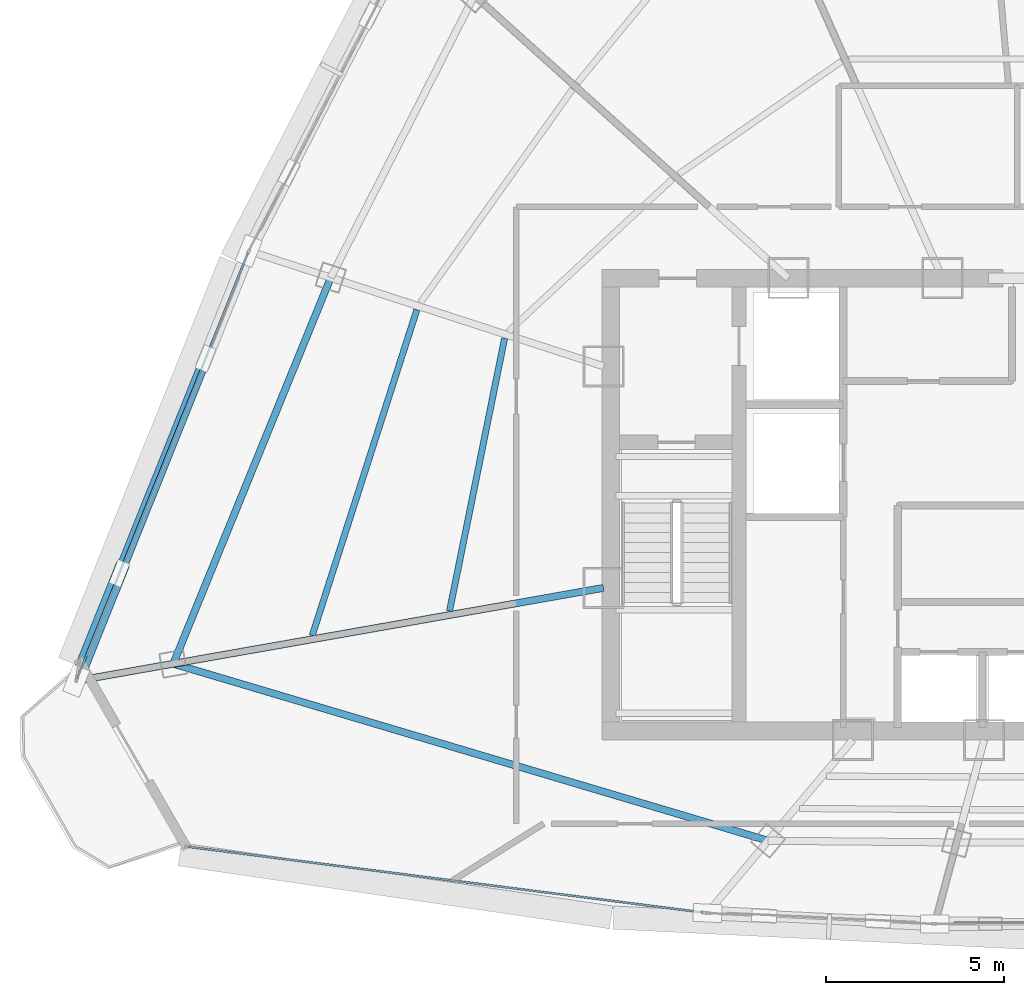
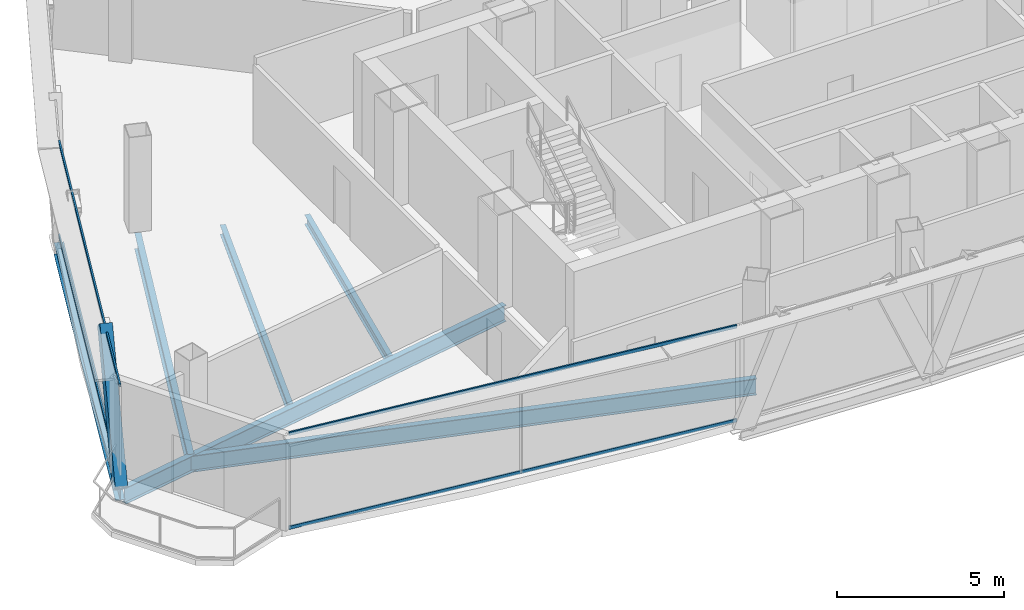
# One storey, part 3 of 30: 6 beams, 5 members, 2 elements without a shape of their own.
"""IFC4 building model written with IfcOpenShell, lengths in metres."""

from ifc_helpers import new_model, si_unit, direction, frame, origin, origin_2d, place, context, subcontext, project, spatial, hollow_rectangle, i_section, extrude, source, transform, mapped, material, layer, layer_set, material_profile, profile_set, type_object, element, aggregate, save


model = new_model("IFC4")

# Units and contexts
model_context = context("Model", 3, precision=1e-05, world=origin(), true_north=direction((0.0, 1.0)))
body_context = subcontext(model_context, "Body", "Model", "MODEL_VIEW")
ifc_project = project(units=[si_unit("LENGTHUNIT", "METRE"), si_unit("AREAUNIT", "SQUARE_METRE"), si_unit("VOLUMEUNIT", "CUBIC_METRE"), si_unit("PLANEANGLEUNIT", "RADIAN"), si_unit("MASSUNIT", "GRAM", prefix="KILO"), si_unit("THERMODYNAMICTEMPERATUREUNIT", "KELVIN"), si_unit("POWERUNIT", "WATT")], contexts=[model_context])

# Site, building, storey
site_placement = place(None, origin())
site = spatial("IfcSite", under=ifc_project, at=site_placement, CompositionType="ELEMENT")
building_placement = place(site_placement, origin())
building = spatial("IfcBuilding", under=site, at=building_placement, Name="Yunzhuo Pagoda Commons", CompositionType="ELEMENT")
storey_placement = place(building_placement, frame((0.0, 0.0, 351.760009765625)))
storey = spatial("IfcBuildingStorey", under=building, at=storey_placement, Name="L88", CompositionType="ELEMENT", Elevation=351.760009765625)

# Beams
ifc_material_1 = material(Name="Structural steel Q355B", Category="steel")
ifc_material_profile_1 = material_profile(ifc_material_1, i_section(OverallWidth=0.199951171875, OverallDepth=0.60009765625, WebThickness=0.010986328125, FlangeThickness=0.01708984375, at=origin_2d()), Name="Structural steel Q355B")
ifc_profile_set_1 = profile_set([ifc_material_profile_1], Name="Structural steel Q355B")
beam_type_1 = type_object("IfcBeamType", Name="B-RG3 Beam HN 600x200x11x17", PredefinedType="BEAM", material=ifc_profile_set_1)
shared_shape_1 = source(origin(), body_context, "Body", "SweptSolid", [
    extrude(i_section(OverallWidth=0.199951171875, OverallDepth=0.60009765625, WebThickness=0.010986328125, FlangeThickness=0.01708984375, at=origin_2d()), origin(), (0.0, 0.0, 1.0), 17.407470703125),
])
beam_1_placement = place(storey_placement, frame((23.52978515625, 29.38525390625, -0.56005859375), z_axis=(0.958484984609, -0.285143006717, 0.0), x_axis=(0.285143006717, 0.958484984609, 0.0)))
element("IfcBeam", 1, at=beam_1_placement, inside=storey, type_object=beam_type_1, Name="L88 column-ring beam 12", PredefinedType="BEAM", context=body_context, shape_type="MappedRepresentation", body=[
    mapped(shared_shape_1, transform((0.0, 0.0, 0.0), scale=1.0)),
])
shared_shape_2 = source(origin(), body_context, "Body", "SweptSolid", [
    extrude(i_section(OverallWidth=0.199951171875, OverallDepth=0.60009765625, WebThickness=0.010986328125, FlangeThickness=0.01708984375, at=origin_2d()), origin(), (0.0, 0.0, 1.0), 11.696533203125),
])
beam_2_placement = place(storey_placement, frame((27.946533203125, 40.2158203125, -0.56005859375), z_axis=(-0.377611800863, -0.925963999219, 0.0), x_axis=(0.925963999219, -0.377611800863, 0.0)))
element("IfcBeam", 2, at=beam_2_placement, inside=storey, type_object=beam_type_1, Name="L88 column-ring beam 11", PredefinedType="BEAM", context=body_context, shape_type="MappedRepresentation", body=[
    mapped(shared_shape_2, transform((0.0, 0.0, 0.0), scale=1.0)),
])
ifc_material_profile_2 = material_profile(ifc_material_1, i_section(OverallWidth=0.175048828125, OverallDepth=0.35009765625, WebThickness=0.007080078125, FlangeThickness=0.010986328125, at=origin_2d()), Name="Structural steel Q355B")
ifc_profile_set_2 = profile_set([ifc_material_profile_2], Name="Structural steel Q355B")
beam_type_2 = type_object("IfcBeamType", Name="B-JS2 Joist HN 350x175x7x11", PredefinedType="JOIST", material=ifc_profile_set_2)
shared_shape_3 = source(origin(), body_context, "Body", "SweptSolid", [
    extrude(i_section(OverallWidth=0.175048828125, OverallDepth=0.35009765625, WebThickness=0.007080078125, FlangeThickness=0.010986328125, at=origin_2d()), origin(), (0.0, 0.0, 1.0), 7.8056640625),
])
beam_3_placement = place(storey_placement, frame((32.822265625, 38.511474609375, -0.43505859375), z_axis=(-0.197890187791, -0.980224195568, 0.0), x_axis=(0.980224195568, -0.197890187791, 0.0)))
element("IfcBeam", 3, at=beam_3_placement, inside=storey, type_object=beam_type_2, Name="L88 composite ring joist 1.11", PredefinedType="JOIST", context=body_context, shape_type="MappedRepresentation", body=[
    mapped(shared_shape_3, transform((0.0, 0.0, 0.0), scale=1.0)),
])
shared_shape_4 = source(origin(), body_context, "Body", "SweptSolid", [
    extrude(i_section(OverallWidth=0.175048828125, OverallDepth=0.35009765625, WebThickness=0.007080078125, FlangeThickness=0.010986328125, at=origin_2d()), origin(), (0.0, 0.0, 1.0), 9.593994140625),
])
beam_4_placement = place(storey_placement, frame((30.360595703125, 39.310546875, -0.43505859375), z_axis=(-0.305719218499, -0.952121714614, 0.0), x_axis=(0.952121714614, -0.305719218499, 0.0)))
element("IfcBeam", 4, at=beam_4_placement, inside=storey, type_object=beam_type_2, Name="L88 composite ring joist 2.11", PredefinedType="JOIST", context=body_context, shape_type="MappedRepresentation", body=[
    mapped(shared_shape_4, transform((0.0, 0.0, 0.0), scale=1.0)),
])
shared_shape_5 = source(origin(), body_context, "Body", "SweptSolid", [
    extrude(i_section(OverallWidth=0.199951171875, OverallDepth=0.60009765625, WebThickness=0.010986328125, FlangeThickness=0.01708984375, at=origin_2d()), origin(), (0.0, 0.0, 1.0), 14.866455078125),
])
beam_5_placement = place(storey_placement, frame((20.95947265625, 28.931884765625, -0.56005859375), z_axis=(0.984807686676, 0.173648553877, 0.0), x_axis=(-0.173648553877, 0.984807686676, 0.0)))
element("IfcBeam", 5, at=beam_5_placement, inside=storey, type_object=beam_type_1, Name="L88 radial floor girder F3C4", PredefinedType="BEAM", context=body_context, shape_type="MappedRepresentation", body=[
    mapped(shared_shape_5, transform((0.0, 0.0, 0.0), scale=1.0)),
])
ifc_material_profile_3 = material_profile(ifc_material_1, i_section(OverallWidth=0.300048828125, OverallDepth=0.43994140625, WebThickness=0.010986328125, FlangeThickness=0.01806640625, at=origin_2d()), Name="Structural steel Q355B")
ifc_profile_set_3 = profile_set([ifc_material_profile_3], Name="Structural steel Q355B")
beam_type_3 = type_object("IfcBeamType", Name="B-SP2 Beam HM 440x300x11x18", PredefinedType="BEAM", material=ifc_profile_set_3)
shared_shape_6 = source(origin(), body_context, "Body", "SweptSolid", [
    extrude(i_section(OverallWidth=0.300048828125, OverallDepth=0.43994140625, WebThickness=0.010986328125, FlangeThickness=0.01806640625, at=origin_2d()), origin(), (0.0, 0.0, 1.0), 12.9931640625),
])
beam_6_placement = place(storey_placement, frame((25.646240234375, 40.963134765625, -0.47998046875), z_axis=(-0.372475711611, -0.928041941002, 0.0), x_axis=(0.928041941002, -0.372475711611, 0.0)))
element("IfcBeam", 6, at=beam_6_placement, inside=storey, type_object=beam_type_3, Name="L88 facade edge spandrel beam F3.3", PredefinedType="BEAM", context=body_context, shape_type="MappedRepresentation", body=[
    mapped(shared_shape_6, transform((0.0, 0.0, 0.0), scale=1.0)),
])

# Member
ifc_material_profile_4 = material_profile(ifc_material_1, hollow_rectangle(XDim=0.3798828125, YDim=0.719970703125, WallThickness=0.02001953125, at=origin_2d()), Name="Structural steel Q355B")
ifc_profile_set_4 = profile_set([ifc_material_profile_4], Name="Structural steel Q355B")
member_type_1 = type_object("IfcMemberType", Name="M-DL3 Brace BOX 720x380x20", PredefinedType="BRACE", material=ifc_profile_set_4)
shared_shape_7 = source(origin(), body_context, "Body", "SweptSolid", [
    extrude(hollow_rectangle(XDim=0.3798828125, YDim=0.719970703125, WallThickness=0.02001953125, at=origin_2d()), origin(), (0.0, 0.0, 1.0), 4.961181640625),
])
member_1_placement = place(storey_placement, frame((20.806640625, 28.905029296875, -0.260009765625), z_axis=(0.243832974655, 0.607638662168, 0.755857616691), x_axis=(-0.928066638093, 0.372414171668, 0.0)))
element("IfcMember", 7, at=member_1_placement, inside=storey, type_object=member_type_1, Name="L88 facade diamond brace F3.3R", PredefinedType="BRACE", context=body_context, shape_type="MappedRepresentation", body=[
    mapped(shared_shape_7, transform((0.0, 0.0, 0.0), scale=1.0)),
])

# Curtain wall, members
ifc_material_2 = material(Name="Anodized aluminium 6063-T6", Category="aluminium")
ifc_layer = layer(ifc_material_2, 0.139892578125)
ifc_layer_set = layer_set([ifc_layer], Name="Anodized aluminium 6063-T6")
curtain_wall_type = type_object("IfcCurtainWallType", Name="CW-HI High-Zone Ribbon Curtain Wall", PredefinedType="NOTDEFINED", material=ifc_layer_set)
curtain_wall_1_placement = place(storey_placement, origin())
curtain_wall_1 = element("IfcCurtainWall", 8, at=curtain_wall_1_placement, inside=storey, type_object=curtain_wall_type, Name="L88 curtain wall CW-L88-F1B1", PredefinedType="NOTDEFINED")
ifc_material_profile_5 = material_profile(ifc_material_2, hollow_rectangle(XDim=0.054931640625, YDim=0.1201171875, WallThickness=0.00341796875, at=origin_2d()), Name="Anodized aluminium 6063-T6")
ifc_profile_set_5 = profile_set([ifc_material_profile_5], Name="Anodized aluminium 6063-T6")
member_type_2 = type_object("IfcMemberType", Name="CW-HI-T Transom RHS 120x55x3.5", PredefinedType="USERDEFINED", material=ifc_profile_set_5)
shared_shape_8 = source(origin(), body_context, "Body", "SweptSolid", [
    extrude(hollow_rectangle(XDim=0.054931640625, YDim=0.1201171875, WallThickness=0.00341796875, at=origin_2d()), origin(), (0.0, 0.0, 1.0), 14.54931640625),
])
member_2_placement = place(storey_placement, frame((23.9462890625, 24.251708984375, 0.027587890625), z_axis=(0.991959463603, -0.126556005658, 0.0), x_axis=(0.126556005658, 0.991959463603, 0.0)))
member_2 = element("IfcMember", 9, at=member_2_placement, type_object=member_type_2, Name="CW transom 1.1", ObjectType="TRANSOM", PredefinedType="USERDEFINED", context=body_context, shape_type="MappedRepresentation", body=[
    mapped(shared_shape_8, transform((0.0, 0.0, 0.0), scale=1.0)),
])
member_3_placement = place(storey_placement, frame((23.9462890625, 24.251708984375, 3.46240234375), z_axis=(0.991959463603, -0.126556005658, 0.0), x_axis=(0.126556005658, 0.991959463603, 0.0)))
member_3 = element("IfcMember", 10, at=member_3_placement, type_object=member_type_2, Name="CW transom 1.2", ObjectType="TRANSOM", PredefinedType="USERDEFINED", context=body_context, shape_type="MappedRepresentation", body=[
    mapped(shared_shape_8, transform((0.0, 0.0, 0.0), scale=1.0)),
])
aggregate(curtain_wall_1, [member_2, member_3])

curtain_wall_2_placement = place(storey_placement, origin())
curtain_wall_2 = element("IfcCurtainWall", 11, at=curtain_wall_2_placement, inside=storey, type_object=curtain_wall_type, Name="L88 curtain wall CW-L88-F3B4", PredefinedType="NOTDEFINED")
shared_shape_9 = source(origin(), body_context, "Body", "SweptSolid", [
    extrude(hollow_rectangle(XDim=0.054931640625, YDim=0.1201171875, WallThickness=0.00341796875, at=origin_2d()), origin(), (0.0, 0.0, 1.0), 12.873046875),
])
member_4_placement = place(storey_placement, frame((25.623779296875, 40.907470703125, 0.027587890625), z_axis=(-0.372476015207, -0.928041819152, 0.0), x_axis=(0.928041819152, -0.372476015207, 0.0)))
member_4 = element("IfcMember", 12, at=member_4_placement, type_object=member_type_2, Name="CW transom 1.1", ObjectType="TRANSOM", PredefinedType="USERDEFINED", context=body_context, shape_type="MappedRepresentation", body=[
    mapped(shared_shape_9, transform((0.0, 0.0, 0.0), scale=1.0)),
])
member_5_placement = place(storey_placement, frame((25.623779296875, 40.907470703125, 3.46240234375), z_axis=(-0.372476015207, -0.928041819152, 0.0), x_axis=(0.928041819152, -0.372476015207, 0.0)))
member_5 = element("IfcMember", 13, at=member_5_placement, type_object=member_type_2, Name="CW transom 1.2", ObjectType="TRANSOM", PredefinedType="USERDEFINED", context=body_context, shape_type="MappedRepresentation", body=[
    mapped(shared_shape_9, transform((0.0, 0.0, 0.0), scale=1.0)),
])
aggregate(curtain_wall_2, [member_4, member_5])

save(model, "model.ifc")
